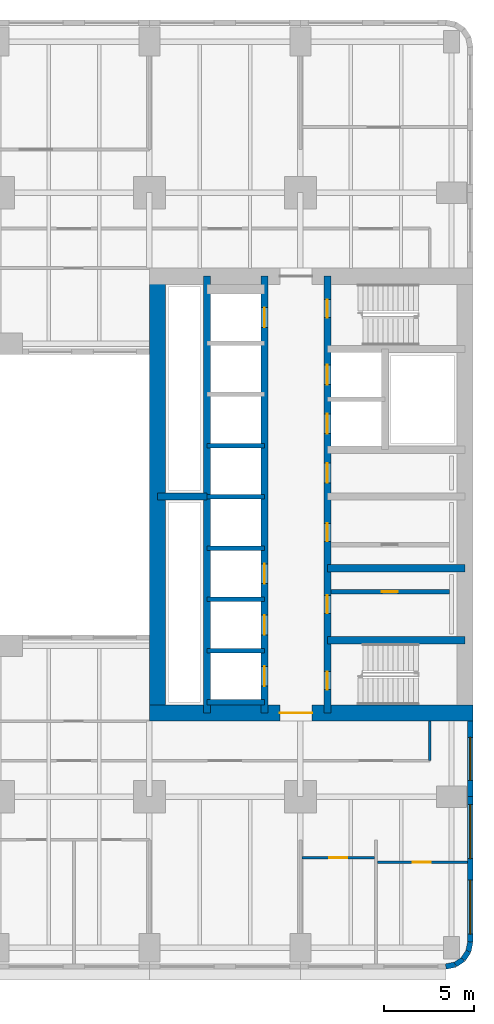
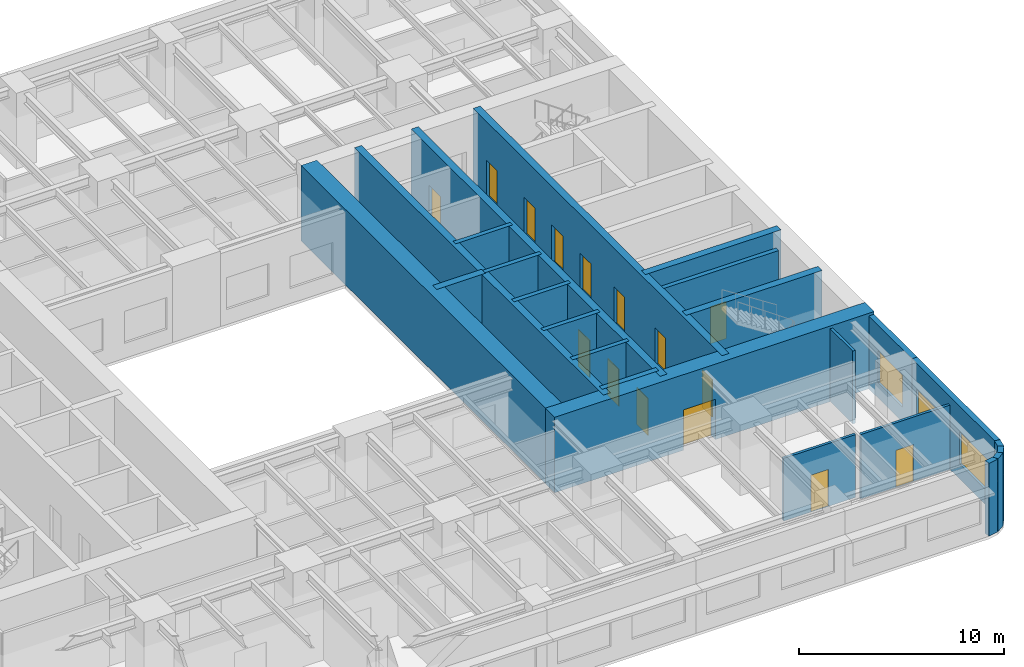
# One storey, part 5 of 14: 24 walls, 15 doors, 3 windows, 18 openings.
"""IFC4 building model written with IfcOpenShell, lengths in metres."""

from ifc_helpers import new_model, si_unit, direction, frame, frame_2d, origin, place, context, subcontext, project, spatial, rectangle, extrude, material, layer, layer_set, type_object, element, fill, save


model = new_model("IFC4")

# Units and contexts
model_context = context("Model", 3, precision=1e-05, world=origin(), true_north=direction((0.0, 1.0)))
body_context = subcontext(model_context, "Body", "Model", "MODEL_VIEW")
ifc_project = project(units=[si_unit("LENGTHUNIT", "METRE"), si_unit("AREAUNIT", "SQUARE_METRE"), si_unit("VOLUMEUNIT", "CUBIC_METRE"), si_unit("PLANEANGLEUNIT", "RADIAN"), si_unit("MASSUNIT", "GRAM", prefix="KILO")], contexts=[model_context])

# Site, building, storey
site_placement = place(None, origin())
site = spatial("IfcSite", under=ifc_project, at=site_placement, CompositionType="ELEMENT")
building_placement = place(site_placement, origin())
building = spatial("IfcBuilding", under=site, at=building_placement, Name="Claustro Exchange Tower", CompositionType="ELEMENT")
storey_placement = place(building_placement, frame((0.0, 0.0, 54.89990234375)))
storey = spatial("IfcBuildingStorey", under=building, at=storey_placement, Name="L12", CompositionType="ELEMENT", Elevation=54.89990234375)

# Wall, opening, door
ifc_material_1 = material(Name="Gypsum board on steel studs", Category="steel")
ifc_layer_1 = layer(ifc_material_1, 0.14990234375)
ifc_layer_set_1 = layer_set([ifc_layer_1], Name="Gypsum board on steel studs")
wall_type_1 = type_object("IfcWallType", Name="P1 150 plasterboard partition", PredefinedType="PARTITIONING", material=ifc_layer_set_1)
wall_1_placement = place(storey_placement, frame((42.073974609375, 5.0, 0.0), z_axis=(0.0, 0.0, 1.0), x_axis=(1.0, 0.0, 0.0)))
wall_1 = element("IfcWall", 1, at=wall_1_placement, inside=storey, type_object=wall_type_1, Name="Partition P1 L12", PredefinedType="PARTITIONING", context=body_context, shape_type="SweptSolid", body=[
    extrude(rectangle(XDim=4.052001953125, YDim=0.14990234375, at=frame_2d((2.02587890625, 0.0))), origin(), (0.0, 0.0, 1.0), 3.739990234375),
])
opening_1_placement = place(wall_1_placement, frame((1.52587890625, 0.0, 0.0)))
opening_1 = element("IfcOpeningElement", 2, at=opening_1_placement, cuts=wall_1, Name="Opening D1", PredefinedType="OPENING", context=body_context, shape_type="SweptSolid", body=[
    extrude(rectangle(XDim=1.0, YDim=2.199951171875, at=frame_2d((0.5, 1.10009765625))), frame((0.0, 0.0849609375, 0.0), z_axis=(0.0, -1.0, 0.0), x_axis=(1.0, 0.0, 0.0)), (0.0, 0.0, 1.0), 0.169921875),
])
ifc_material_2 = material(Name="Timber door, oak veneer", Category="wood")
door_type_1 = type_object("IfcDoorType", Name="D1 1000 x 2200 single door", OperationType="SINGLE_SWING_LEFT", PredefinedType="DOOR", material=ifc_material_2)
door_1_placement = place(opening_1_placement, frame((1.0, 0.0, 0.0), z_axis=(0.0, 0.0, 1.0), x_axis=(-1.0, 0.0, 0.0)))
door_1 = element("IfcDoor", 3, at=door_1_placement, inside=storey, type_object=door_type_1, Name="Door D1 L12", OperationType="SINGLE_SWING_RIGHT", OverallHeight=2.199951171875, OverallWidth=1.0, PredefinedType="DOOR", context=body_context, shape_type="SweptSolid", body=[
    extrude(rectangle(XDim=1.0, YDim=2.199951171875, at=frame_2d((0.5, 1.10009765625))), frame((0.0, 0.02490234375, 0.0), z_axis=(0.0, -1.0, 0.0), x_axis=(1.0, 0.0, 0.0)), (0.0, 0.0, 1.0), 0.050048828125),
])
fill(opening_1, door_1)

wall_2_placement = place(storey_placement, frame((46.27392578125, 4.75, 0.0), z_axis=(0.0, 0.0, 1.0), x_axis=(1.0, 0.0, 0.0)))
wall_2 = element("IfcWall", 4, at=wall_2_placement, inside=storey, type_object=wall_type_1, Name="Partition P1 L12", PredefinedType="PARTITIONING", context=body_context, shape_type="SweptSolid", body=[
    extrude(rectangle(XDim=5.028076171875, YDim=0.14990234375, at=frame_2d((2.51416015625, 0.0))), origin(), (0.0, 0.0, 1.0), 3.840087890625),
])
opening_2_placement = place(wall_2_placement, frame((1.97607421875, 0.0, 0.0)))
opening_2 = element("IfcOpeningElement", 5, at=opening_2_placement, cuts=wall_2, Name="Opening D1", PredefinedType="OPENING", context=body_context, shape_type="SweptSolid", body=[
    extrude(rectangle(XDim=1.0, YDim=2.199951171875, at=frame_2d((0.5, 1.10009765625))), frame((0.0, 0.0849609375, 0.0), z_axis=(0.0, -1.0, 0.0), x_axis=(1.0, 0.0, 0.0)), (0.0, 0.0, 1.0), 0.169921875),
])
door_2_placement = place(opening_2_placement, frame((1.0, 0.0, 0.0), z_axis=(0.0, 0.0, 1.0), x_axis=(-1.0, 0.0, 0.0)))
door_2 = element("IfcDoor", 6, at=door_2_placement, inside=storey, type_object=door_type_1, Name="Door D1 L12", OperationType="SINGLE_SWING_RIGHT", OverallHeight=2.199951171875, OverallWidth=1.0, PredefinedType="DOOR", context=body_context, shape_type="SweptSolid", body=[
    extrude(rectangle(XDim=1.0, YDim=2.199951171875, at=frame_2d((0.5, 1.10009765625))), frame((0.0, 0.02490234375, 0.0), z_axis=(0.0, -1.0, 0.0), x_axis=(1.0, 0.0, 0.0)), (0.0, 0.0, 1.0), 0.050048828125),
])
fill(opening_2, door_2)

# Wall
wall_3_placement = place(storey_placement, frame((49.199951171875, 10.39990234375, 0.0), z_axis=(0.0, 0.0, 1.0), x_axis=(0.0, 1.0, 0.0)))
element("IfcWall", 7, at=wall_3_placement, inside=storey, type_object=wall_type_1, Name="Partition P1 L12", PredefinedType="PARTITIONING", context=body_context, shape_type="SweptSolid", body=[
    extrude(rectangle(XDim=2.2021484375, YDim=0.14990234375, at=frame_2d((1.10107421875, 0.0))), origin(), (0.0, 0.0, 1.0), 4.340087890625),
])

# Wall, opening, door
ifc_material_3 = material(Name="Concrete blockwork, rendered", Category="masonry")
ifc_layer_2 = layer(ifc_material_3, 0.25)
ifc_layer_set_2 = layer_set([ifc_layer_2], Name="Concrete blockwork, rendered")
wall_type_2 = type_object("IfcWallType", Name="P4 250 blockwork wall", PredefinedType="PARTITIONING", material=ifc_layer_set_2)
wall_4_placement = place(storey_placement, frame((43.699951171875, 19.800048828125, 0.0), z_axis=(0.0, 0.0, 1.0), x_axis=(1.0, 0.0, 0.0)))
wall_4 = element("IfcWall", 8, at=wall_4_placement, inside=storey, type_object=wall_type_2, Name="Partition P4 L12", PredefinedType="PARTITIONING", context=body_context, shape_type="SweptSolid", body=[
    extrude(rectangle(XDim=6.60009765625, YDim=0.25, at=frame_2d((3.300048828125, 0.0))), origin(), (0.0, 0.0, 1.0), 4.300048828125),
])
opening_3_placement = place(wall_4_placement, frame((2.824951171875, 0.0, 0.0)))
opening_3 = element("IfcOpeningElement", 9, at=opening_3_placement, cuts=wall_4, Name="Opening D5", PredefinedType="OPENING", context=body_context, shape_type="SweptSolid", body=[
    extrude(rectangle(XDim=0.89990234375, YDim=2.199951171875, at=frame_2d((0.449951171875, 1.10009765625))), frame((0.0, 0.135009765625, 0.0), z_axis=(0.0, -1.0, 0.0), x_axis=(1.0, 0.0, 0.0)), (0.0, 0.0, 1.0), 0.27001953125),
])
ifc_material_4 = material(Name="Steel door, painted", Category="steel")
door_type_2 = type_object("IfcDoorType", Name="D5 900 x 2200 store door", OperationType="SINGLE_SWING_LEFT", PredefinedType="DOOR", material=ifc_material_4)
door_3_placement = place(opening_3_placement, origin())
door_3 = element("IfcDoor", 10, at=door_3_placement, inside=storey, type_object=door_type_2, Name="Store door D5 L12", OperationType="SINGLE_SWING_RIGHT", OverallHeight=2.199951171875, OverallWidth=0.89990234375, PredefinedType="DOOR", context=body_context, shape_type="SweptSolid", body=[
    extrude(rectangle(XDim=0.89990234375, YDim=2.199951171875, at=frame_2d((0.449951171875, 1.10009765625))), frame((0.0, 0.02490234375, 0.0), z_axis=(0.0, -1.0, 0.0), x_axis=(1.0, 0.0, 0.0)), (0.0, 0.0, 1.0), 0.050048828125),
])
fill(opening_3, door_3)

# Wall, opening, window
ifc_material_5 = material(Name="Concrete HA-40 (C40/50), precast, white cement, acid-etched", Category="concrete")
ifc_layer_3 = layer(ifc_material_5, 0.300048828125)
ifc_layer_set_3 = layer_set([ifc_layer_3], Name="Concrete HA-40 (C40/50), precast, white cement, acid-etched")
wall_type_3 = type_object("IfcWallType", Name="PC1 300 precast concrete pier panel", PredefinedType="SOLIDWALL", material=ifc_layer_set_3)
wall_5_placement = place(storey_placement, frame((51.449951171875, 12.60009765625, 0.0), z_axis=(0.0, 0.0, 1.0), x_axis=(0.0, -1.0, 0.0)))
wall_5 = element("IfcWall", 11, at=wall_5_placement, inside=storey, type_object=wall_type_3, Name="Precast pier panel PC1 L12", PredefinedType="SOLIDWALL", context=body_context, shape_type="SweptSolid", body=[
    extrude(rectangle(XDim=4.2001953125, YDim=0.300048828125, at=frame_2d((2.10009765625, 0.0))), origin(), (0.0, 0.0, 1.0), 4.340087890625),
])
opening_4_placement = place(wall_5_placement, frame((0.89990234375, 0.0, 0.89990234375)))
opening_4 = element("IfcOpeningElement", 12, at=opening_4_placement, cuts=wall_5, Name="Opening W2", PredefinedType="OPENING", context=body_context, shape_type="SweptSolid", body=[
    extrude(rectangle(XDim=2.39990234375, YDim=1.89990234375, at=frame_2d((1.199951171875, 0.949951171875))), frame((0.0, 0.159912109375, 0.0), z_axis=(0.0, -1.0, 0.0), x_axis=(1.0, 0.0, 0.0)), (0.0, 0.0, 1.0), 0.320068359375),
])
ifc_material_6 = material(Name="Aluminium frame, clear double glazing", Category="aluminium")
window_type_1 = type_object("IfcWindowType", Name="W2 2400 x 1900 window", PartitioningType="SINGLE_PANEL", PredefinedType="WINDOW", material=ifc_material_6)
window_1_placement = place(opening_4_placement, origin())
window_1 = element("IfcWindow", 13, at=window_1_placement, inside=storey, type_object=window_type_1, Name="Window W2 L12", OverallHeight=1.89990234375, OverallWidth=2.39990234375, PartitioningType="SINGLE_PANEL", PredefinedType="WINDOW", context=body_context, shape_type="SweptSolid", body=[
    extrude(rectangle(XDim=2.39990234375, YDim=1.89990234375, at=frame_2d((1.199951171875, 0.949951171875))), frame((0.0, 0.030029296875, 0.0), z_axis=(0.0, -1.0, 0.0), x_axis=(1.0, 0.0, 0.0)), (0.0, 0.0, 1.0), 0.06005859375),
])
fill(opening_4, window_1)

# Wall, openings, windows
wall_6_placement = place(storey_placement, frame((51.449951171875, 8.39990234375, 0.0), z_axis=(0.0, 0.0, 1.0), x_axis=(0.0, -1.0, 0.0)))
wall_6 = element("IfcWall", 14, at=wall_6_placement, inside=storey, type_object=wall_type_3, Name="Precast pier panel PC1 L12", PredefinedType="SOLIDWALL", context=body_context, shape_type="SweptSolid", body=[
    extrude(rectangle(XDim=8.085205078125, YDim=0.300048828125, at=frame_2d((4.04248046875, 0.0))), origin(), (0.0, 0.0, 1.0), 4.340087890625),
])
opening_5_placement = place(wall_6_placement, frame((0.442626953125, 0.0, 0.89990234375)))
opening_5 = element("IfcOpeningElement", 15, at=opening_5_placement, cuts=wall_6, Name="Opening W1", PredefinedType="OPENING", context=body_context, shape_type="SweptSolid", body=[
    extrude(rectangle(XDim=3.0, YDim=1.89990234375, at=frame_2d((1.5, 0.949951171875))), frame((0.0, 0.159912109375, 0.0), z_axis=(0.0, -1.0, 0.0), x_axis=(1.0, 0.0, 0.0)), (0.0, 0.0, 1.0), 0.320068359375),
])
opening_6_placement = place(wall_6_placement, frame((4.642578125, 0.0, 0.89990234375)))
opening_6 = element("IfcOpeningElement", 16, at=opening_6_placement, cuts=wall_6, Name="Opening W1", PredefinedType="OPENING", context=body_context, shape_type="SweptSolid", body=[
    extrude(rectangle(XDim=3.0, YDim=1.89990234375, at=frame_2d((1.5, 0.949951171875))), frame((0.0, 0.159912109375, 0.0), z_axis=(0.0, -1.0, 0.0), x_axis=(1.0, 0.0, 0.0)), (0.0, 0.0, 1.0), 0.320068359375),
])
ifc_material_7 = material(Name="Aluminium frame, clear double glazing", Category="aluminium")
window_type_2 = type_object("IfcWindowType", Name="W1 3000 x 1900 window", PartitioningType="SINGLE_PANEL", PredefinedType="WINDOW", material=ifc_material_7)
window_2_placement = place(opening_5_placement, origin())
window_2 = element("IfcWindow", 17, at=window_2_placement, inside=storey, type_object=window_type_2, Name="Window W1 L12", OverallHeight=1.89990234375, OverallWidth=3.0, PartitioningType="SINGLE_PANEL", PredefinedType="WINDOW", context=body_context, shape_type="SweptSolid", body=[
    extrude(rectangle(XDim=3.0, YDim=1.89990234375, at=frame_2d((1.5, 0.949951171875))), frame((0.0, 0.030029296875, 0.0), z_axis=(0.0, -1.0, 0.0), x_axis=(1.0, 0.0, 0.0)), (0.0, 0.0, 1.0), 0.06005859375),
])
fill(opening_5, window_2)
window_3_placement = place(opening_6_placement, origin())
window_3 = element("IfcWindow", 18, at=window_3_placement, inside=storey, type_object=window_type_2, Name="Window W1 L12", OverallHeight=1.89990234375, OverallWidth=3.0, PartitioningType="SINGLE_PANEL", PredefinedType="WINDOW", context=body_context, shape_type="SweptSolid", body=[
    extrude(rectangle(XDim=3.0, YDim=1.89990234375, at=frame_2d((1.5, 0.949951171875))), frame((0.0, 0.030029296875, 0.0), z_axis=(0.0, -1.0, 0.0), x_axis=(1.0, 0.0, 0.0)), (0.0, 0.0, 1.0), 0.06005859375),
])
fill(opening_6, window_3)

# Walls
wall_7_placement = place(storey_placement, frame((51.449951171875, 0.314697265625, 0.0), z_axis=(0.0, 0.0, 1.0), x_axis=(-0.195073962632, -0.980788534345, 0.0)))
element("IfcWall", 19, at=wall_7_placement, inside=storey, type_object=wall_type_3, Name="Precast pier panel PC1 L12", PredefinedType="SOLIDWALL", context=body_context, shape_type="SweptSolid", body=[
    extrude(rectangle(XDim=0.540771484375, YDim=0.300048828125, at=frame_2d((0.2705078125, 0.0))), origin(), (0.0, 0.0, 1.0), 4.340087890625),
])
for number, where, z_axis, x_axis, name in (
    (20, (51.344482421875, -0.215576171875, 0.0), (0.0, 0.0, 1.0), (-0.555557463938, -0.831478144188, 0.0), "Precast pier panel PC1 L12"),
    (21, (51.052490234375, -0.652587890625, 0.0), (0.0, 0.0, 1.0), (-0.831478144188, -0.555557463938, 0.0), "Precast pier panel PC1 L12"),
):
    element("IfcWall", number, at=place(storey_placement, frame(where, z_axis=z_axis, x_axis=x_axis)), inside=storey, type_object=wall_type_3, Name=name, PredefinedType="SOLIDWALL", context=body_context, shape_type="SweptSolid", body=[
        extrude(rectangle(XDim=0.525634765625, YDim=0.300048828125, at=frame_2d((0.2626953125, 0.0))), origin(), (0.0, 0.0, 1.0), 4.340087890625),
    ])
wall_8_placement = place(storey_placement, frame((50.615478515625, -0.944580078125, 0.0), z_axis=(0.0, 0.0, 1.0), x_axis=(-0.980788534345, -0.195073962632, 0.0)))
element("IfcWall", 22, at=wall_8_placement, inside=storey, type_object=wall_type_3, Name="Precast pier panel PC1 L12", PredefinedType="SOLIDWALL", context=body_context, shape_type="SweptSolid", body=[
    extrude(rectangle(XDim=0.540771484375, YDim=0.300048828125, at=frame_2d((0.2705078125, 0.0))), origin(), (0.0, 0.0, 1.0), 4.340087890625),
])

# Wall, opening, door
ifc_material_8 = material(Name="Concrete HA-70 (C70/85)", Category="concrete")
ifc_layer_4 = layer(ifc_material_8, 0.89990234375)
ifc_layer_set_4 = layer_set([ifc_layer_4], Name="Concrete HA-70 (C70/85)")
wall_type_4 = type_object("IfcWallType", Name="SW1 900 core shear wall", PredefinedType="SHEAR", material=ifc_layer_set_4)
wall_9_placement = place(storey_placement, frame((33.60009765625, 13.050048828125, 0.0), z_axis=(0.0, 0.0, 1.0), x_axis=(1.0, 0.0, 0.0)))
wall_9 = element("IfcWall", 23, at=wall_9_placement, inside=storey, type_object=wall_type_4, Name="Core wall SW1 E core S face L12", PredefinedType="SHEAR", context=body_context, shape_type="SweptSolid", body=[
    extrude(rectangle(XDim=18.0, YDim=0.89990234375, at=frame_2d((9.0, 0.0))), origin(), (0.0, 0.0, 1.0), 4.5),
])
opening_7_placement = place(wall_9_placement, frame((7.25, 0.0, 0.0)))
opening_7 = element("IfcOpeningElement", 24, at=opening_7_placement, cuts=wall_9, Name="Opening D3", PredefinedType="OPENING", context=body_context, shape_type="SweptSolid", body=[
    extrude(rectangle(XDim=1.800048828125, YDim=2.39990234375, at=frame_2d((0.89990234375, 1.199951171875))), frame((0.0, 0.4599609375, 0.0), z_axis=(0.0, -1.0, 0.0), x_axis=(1.0, 0.0, 0.0)), (0.0, 0.0, 1.0), 0.919921875),
])
ifc_material_9 = material(Name="Steel fire door, painted", Category="steel")
door_type_3 = type_object("IfcDoorType", Name="D3 1800 x 2400 fire-rated lobby double door", OperationType="DOUBLE_DOOR_SINGLE_SWING", PredefinedType="DOOR", material=ifc_material_9)
door_4_placement = place(opening_7_placement, origin())
door_4 = element("IfcDoor", 25, at=door_4_placement, inside=storey, type_object=door_type_3, Name="Lift lobby door D3 L12", OperationType="DOUBLE_DOOR_SINGLE_SWING", OverallHeight=2.39990234375, OverallWidth=1.800048828125, PredefinedType="DOOR", context=body_context, shape_type="SweptSolid", body=[
    extrude(rectangle(XDim=1.800048828125, YDim=2.39990234375, at=frame_2d((0.89990234375, 1.199951171875))), frame((0.0, 0.02490234375, 0.0), z_axis=(0.0, -1.0, 0.0), x_axis=(1.0, 0.0, 0.0)), (0.0, 0.0, 1.0), 0.050048828125),
])
fill(opening_7, door_4)

# Wall
ifc_material_10 = material(Name="Concrete HA-70 (C70/85)", Category="concrete")
ifc_layer_5 = layer(ifc_material_10, 0.89990234375)
ifc_layer_set_5 = layer_set([ifc_layer_5], Name="Concrete HA-70 (C70/85)")
wall_type_5 = type_object("IfcWallType", Name="SW1X 900 exposed core shear wall, board-marked face", PredefinedType="SHEAR", material=ifc_layer_set_5)
wall_10_placement = place(storey_placement, frame((34.050048828125, 13.050048828125, 0.0), z_axis=(0.0, 0.0, 1.0), x_axis=(0.0, 1.0, 0.0)))
element("IfcWall", 26, at=wall_10_placement, inside=storey, type_object=wall_type_5, Name="Core wall SW1X E core W face L12", PredefinedType="SHEAR", context=body_context, shape_type="SweptSolid", body=[
    extrude(rectangle(XDim=24.300048828125, YDim=0.89990234375, at=frame_2d((12.14990234375, 0.0))), origin(), (0.0, 0.0, 1.0), 4.5),
])

# Wall, openings, doors
ifc_material_11 = material(Name="Concrete HA-50 (C50/60)", Category="concrete")
ifc_layer_6 = layer(ifc_material_11, 0.39990234375)
ifc_layer_set_6 = layer_set([ifc_layer_6], Name="Concrete HA-50 (C50/60)")
wall_type_6 = type_object("IfcWallType", Name="SW4 400 internal core wall", PredefinedType="SHEAR", material=ifc_layer_set_6)
wall_11_placement = place(storey_placement, frame((43.5, 13.050048828125, 0.0), z_axis=(0.0, 0.0, 1.0), x_axis=(0.0, 1.0, 0.0)))
wall_11 = element("IfcWall", 27, at=wall_11_placement, inside=storey, type_object=wall_type_6, Name="Internal core wall SW4 E core L12", PredefinedType="SHEAR", context=body_context, shape_type="SweptSolid", body=[
    extrude(rectangle(XDim=24.300048828125, YDim=0.39990234375, at=frame_2d((12.14990234375, 0.0))), origin(), (0.0, 0.0, 1.0), 4.5),
])
opening_8_placement = place(wall_11_placement, frame((1.300048828125, 0.0, 0.0)))
opening_8 = element("IfcOpeningElement", 28, at=opening_8_placement, cuts=wall_11, Name="Opening D4", PredefinedType="OPENING", context=body_context, shape_type="SweptSolid", body=[
    extrude(rectangle(XDim=1.0, YDim=2.199951171875, at=frame_2d((0.5, 1.10009765625))), frame((0.0, 0.2099609375, 0.0), z_axis=(0.0, -1.0, 0.0), x_axis=(1.0, 0.0, 0.0)), (0.0, 0.0, 1.0), 0.419921875),
])
opening_9_placement = place(wall_11_placement, frame((22.0, 0.0, 0.0)))
opening_9 = element("IfcOpeningElement", 29, at=opening_9_placement, cuts=wall_11, Name="Opening D4", PredefinedType="OPENING", context=body_context, shape_type="SweptSolid", body=[
    extrude(rectangle(XDim=1.0, YDim=2.199951171875, at=frame_2d((0.5, 1.10009765625))), frame((0.0, 0.2099609375, 0.0), z_axis=(0.0, -1.0, 0.0), x_axis=(1.0, 0.0, 0.0)), (0.0, 0.0, 1.0), 0.419921875),
])
opening_10_placement = place(wall_11_placement, frame((5.550048828125, 0.0, 0.0)))
opening_10 = element("IfcOpeningElement", 30, at=opening_10_placement, cuts=wall_11, Name="Opening D1", PredefinedType="OPENING", context=body_context, shape_type="SweptSolid", body=[
    extrude(rectangle(XDim=1.0, YDim=2.199951171875, at=frame_2d((0.5, 1.10009765625))), frame((0.0, 0.2099609375, 0.0), z_axis=(0.0, -1.0, 0.0), x_axis=(1.0, 0.0, 0.0)), (0.0, 0.0, 1.0), 0.419921875),
])
opening_11_placement = place(wall_11_placement, frame((9.550048828125, 0.0, 0.0)))
opening_11 = element("IfcOpeningElement", 31, at=opening_11_placement, cuts=wall_11, Name="Opening D1", PredefinedType="OPENING", context=body_context, shape_type="SweptSolid", body=[
    extrude(rectangle(XDim=1.0, YDim=2.199951171875, at=frame_2d((0.5, 1.10009765625))), frame((0.0, 0.2099609375, 0.0), z_axis=(0.0, -1.0, 0.0), x_axis=(1.0, 0.0, 0.0)), (0.0, 0.0, 1.0), 0.419921875),
])
opening_12_placement = place(wall_11_placement, frame((12.800048828125, 0.0, 0.0)))
opening_12 = element("IfcOpeningElement", 32, at=opening_12_placement, cuts=wall_11, Name="Opening D10", PredefinedType="OPENING", context=body_context, shape_type="SweptSolid", body=[
    extrude(rectangle(XDim=1.10009765625, YDim=2.199951171875, at=frame_2d((0.550048828125, 1.10009765625))), frame((0.0, 0.2099609375, 0.0), z_axis=(0.0, -1.0, 0.0), x_axis=(1.0, 0.0, 0.0)), (0.0, 0.0, 1.0), 0.419921875),
])
opening_13_placement = place(wall_11_placement, frame((15.53759765625, 0.0, 0.0)))
opening_13 = element("IfcOpeningElement", 33, at=opening_13_placement, cuts=wall_11, Name="Opening LD", PredefinedType="OPENING", context=body_context, shape_type="SweptSolid", body=[
    extrude(rectangle(XDim=1.10009765625, YDim=2.199951171875, at=frame_2d((0.550048828125, 1.10009765625))), frame((0.0, 0.2099609375, 0.0), z_axis=(0.0, -1.0, 0.0), x_axis=(1.0, 0.0, 0.0)), (0.0, 0.0, 1.0), 0.419921875),
])
opening_14_placement = place(wall_11_placement, frame((18.262451171875, 0.0, 0.0)))
opening_14 = element("IfcOpeningElement", 34, at=opening_14_placement, cuts=wall_11, Name="Opening LD", PredefinedType="OPENING", context=body_context, shape_type="SweptSolid", body=[
    extrude(rectangle(XDim=1.10009765625, YDim=2.199951171875, at=frame_2d((0.550048828125, 1.10009765625))), frame((0.0, 0.2099609375, 0.0), z_axis=(0.0, -1.0, 0.0), x_axis=(1.0, 0.0, 0.0)), (0.0, 0.0, 1.0), 0.419921875),
])
door_5_placement = place(opening_10_placement, frame((1.0, 0.0, 0.0), z_axis=(0.0, 0.0, 1.0), x_axis=(-1.0, 0.0, 0.0)))
door_5 = element("IfcDoor", 35, at=door_5_placement, inside=storey, type_object=door_type_1, Name="Door D1 L12", OperationType="SINGLE_SWING_LEFT", OverallHeight=2.199951171875, OverallWidth=1.0, PredefinedType="DOOR", context=body_context, shape_type="SweptSolid", body=[
    extrude(rectangle(XDim=1.0, YDim=2.199951171875, at=frame_2d((0.5, 1.10009765625))), frame((0.0, 0.02490234375, 0.0), z_axis=(0.0, -1.0, 0.0), x_axis=(1.0, 0.0, 0.0)), (0.0, 0.0, 1.0), 0.050048828125),
])
fill(opening_10, door_5)
door_6_placement = place(opening_11_placement, frame((1.0, 0.0, 0.0), z_axis=(0.0, 0.0, 1.0), x_axis=(-1.0, 0.0, 0.0)))
door_6 = element("IfcDoor", 36, at=door_6_placement, inside=storey, type_object=door_type_1, Name="Door D1 L12", OperationType="SINGLE_SWING_RIGHT", OverallHeight=2.199951171875, OverallWidth=1.0, PredefinedType="DOOR", context=body_context, shape_type="SweptSolid", body=[
    extrude(rectangle(XDim=1.0, YDim=2.199951171875, at=frame_2d((0.5, 1.10009765625))), frame((0.0, 0.02490234375, 0.0), z_axis=(0.0, -1.0, 0.0), x_axis=(1.0, 0.0, 0.0)), (0.0, 0.0, 1.0), 0.050048828125),
])
fill(opening_11, door_6)
ifc_material_12 = material(Name="Timber door, oak veneer", Category="wood")
door_type_4 = type_object("IfcDoorType", Name="D10 1100 x 2200 accessible WC door", OperationType="SINGLE_SWING_LEFT", PredefinedType="DOOR", material=ifc_material_12)
door_7_placement = place(opening_12_placement, origin())
door_7 = element("IfcDoor", 37, at=door_7_placement, inside=storey, type_object=door_type_4, Name="Accessible WC door D10 L12", OperationType="SINGLE_SWING_RIGHT", OverallHeight=2.199951171875, OverallWidth=1.10009765625, PredefinedType="DOOR", context=body_context, shape_type="SweptSolid", body=[
    extrude(rectangle(XDim=1.10009765625, YDim=2.199951171875, at=frame_2d((0.550048828125, 1.10009765625))), frame((0.0, 0.02490234375, 0.0), z_axis=(0.0, -1.0, 0.0), x_axis=(1.0, 0.0, 0.0)), (0.0, 0.0, 1.0), 0.050048828125),
])
fill(opening_12, door_7)
ifc_material_13 = material(Name="Steel fire door, painted", Category="steel")
door_type_5 = type_object("IfcDoorType", Name="D4 1000 x 2200 fire-rated stair door", OperationType="SINGLE_SWING_LEFT", PredefinedType="DOOR", material=ifc_material_13)
door_8_placement = place(opening_8_placement, frame((1.0, 0.0, 0.0), z_axis=(0.0, 0.0, 1.0), x_axis=(-1.0, 0.0, 0.0)))
door_8 = element("IfcDoor", 38, at=door_8_placement, inside=storey, type_object=door_type_5, Name="Stair door D4 L12", OperationType="SINGLE_SWING_RIGHT", OverallHeight=2.199951171875, OverallWidth=1.0, PredefinedType="DOOR", context=body_context, shape_type="SweptSolid", body=[
    extrude(rectangle(XDim=1.0, YDim=2.199951171875, at=frame_2d((0.5, 1.10009765625))), frame((0.0, 0.02490234375, 0.0), z_axis=(0.0, -1.0, 0.0), x_axis=(1.0, 0.0, 0.0)), (0.0, 0.0, 1.0), 0.050048828125),
])
fill(opening_8, door_8)
door_9_placement = place(opening_9_placement, frame((1.0, 0.0, 0.0), z_axis=(0.0, 0.0, 1.0), x_axis=(-1.0, 0.0, 0.0)))
door_9 = element("IfcDoor", 39, at=door_9_placement, inside=storey, type_object=door_type_5, Name="Stair door D4 L12", OperationType="SINGLE_SWING_LEFT", OverallHeight=2.199951171875, OverallWidth=1.0, PredefinedType="DOOR", context=body_context, shape_type="SweptSolid", body=[
    extrude(rectangle(XDim=1.0, YDim=2.199951171875, at=frame_2d((0.5, 1.10009765625))), frame((0.0, 0.02490234375, 0.0), z_axis=(0.0, -1.0, 0.0), x_axis=(1.0, 0.0, 0.0)), (0.0, 0.0, 1.0), 0.050048828125),
])
fill(opening_9, door_9)
ifc_material_14 = material(Name="Stainless steel sliding door", Category="steel")
door_type_6 = type_object("IfcDoorType", Name="LD 1100 x 2200 lift landing door", OperationType="DOUBLE_DOOR_SLIDING", PredefinedType="DOOR", material=ifc_material_14)
door_10_placement = place(opening_13_placement, origin())
door_10 = element("IfcDoor", 40, at=door_10_placement, inside=storey, type_object=door_type_6, Name="Lift landing door LEE1 LD L12", OperationType="DOUBLE_DOOR_SLIDING", OverallHeight=2.199951171875, OverallWidth=1.10009765625, PredefinedType="DOOR", context=body_context, shape_type="SweptSolid", body=[
    extrude(rectangle(XDim=1.10009765625, YDim=2.199951171875, at=frame_2d((0.550048828125, 1.10009765625))), frame((0.0, 0.02490234375, 0.0), z_axis=(0.0, -1.0, 0.0), x_axis=(1.0, 0.0, 0.0)), (0.0, 0.0, 1.0), 0.050048828125),
])
fill(opening_13, door_10)
door_11_placement = place(opening_14_placement, origin())
door_11 = element("IfcDoor", 41, at=door_11_placement, inside=storey, type_object=door_type_6, Name="Lift landing door LEE2 LD L12", OperationType="DOUBLE_DOOR_SLIDING", OverallHeight=2.199951171875, OverallWidth=1.10009765625, PredefinedType="DOOR", context=body_context, shape_type="SweptSolid", body=[
    extrude(rectangle(XDim=1.10009765625, YDim=2.199951171875, at=frame_2d((0.550048828125, 1.10009765625))), frame((0.0, 0.02490234375, 0.0), z_axis=(0.0, -1.0, 0.0), x_axis=(1.0, 0.0, 0.0)), (0.0, 0.0, 1.0), 0.050048828125),
])
fill(opening_14, door_11)

wall_12_placement = place(storey_placement, frame((40.0, 13.050048828125, 0.0), z_axis=(0.0, 0.0, 1.0), x_axis=(0.0, 1.0, 0.0)))
wall_12 = element("IfcWall", 42, at=wall_12_placement, inside=storey, type_object=wall_type_6, Name="Internal core wall SW4 E core L12", PredefinedType="SHEAR", context=body_context, shape_type="SweptSolid", body=[
    extrude(rectangle(XDim=24.300048828125, YDim=0.39990234375, at=frame_2d((12.14990234375, 0.0))), origin(), (0.0, 0.0, 1.0), 4.5),
])
opening_15_placement = place(wall_12_placement, frame((1.5, 0.0, 0.0)))
opening_15 = element("IfcOpeningElement", 43, at=opening_15_placement, cuts=wall_12, Name="Opening LD", PredefinedType="OPENING", context=body_context, shape_type="SweptSolid", body=[
    extrude(rectangle(XDim=1.10009765625, YDim=2.199951171875, at=frame_2d((0.550048828125, 1.10009765625))), frame((0.0, 0.2099609375, 0.0), z_axis=(0.0, -1.0, 0.0), x_axis=(1.0, 0.0, 0.0)), (0.0, 0.0, 1.0), 0.419921875),
])
opening_16_placement = place(wall_12_placement, frame((4.35009765625, 0.0, 0.0)))
opening_16 = element("IfcOpeningElement", 44, at=opening_16_placement, cuts=wall_12, Name="Opening LD", PredefinedType="OPENING", context=body_context, shape_type="SweptSolid", body=[
    extrude(rectangle(XDim=1.10009765625, YDim=2.199951171875, at=frame_2d((0.550048828125, 1.10009765625))), frame((0.0, 0.2099609375, 0.0), z_axis=(0.0, -1.0, 0.0), x_axis=(1.0, 0.0, 0.0)), (0.0, 0.0, 1.0), 0.419921875),
])
opening_17_placement = place(wall_12_placement, frame((7.199951171875, 0.0, 0.0)))
opening_17 = element("IfcOpeningElement", 45, at=opening_17_placement, cuts=wall_12, Name="Opening LD", PredefinedType="OPENING", context=body_context, shape_type="SweptSolid", body=[
    extrude(rectangle(XDim=1.10009765625, YDim=2.199951171875, at=frame_2d((0.550048828125, 1.10009765625))), frame((0.0, 0.2099609375, 0.0), z_axis=(0.0, -1.0, 0.0), x_axis=(1.0, 0.0, 0.0)), (0.0, 0.0, 1.0), 0.419921875),
])
opening_18_placement = place(wall_12_placement, frame((21.449951171875, 0.0, 0.0)))
opening_18 = element("IfcOpeningElement", 46, at=opening_18_placement, cuts=wall_12, Name="Opening LD", PredefinedType="OPENING", context=body_context, shape_type="SweptSolid", body=[
    extrude(rectangle(XDim=1.10009765625, YDim=2.199951171875, at=frame_2d((0.550048828125, 1.10009765625))), frame((0.0, 0.2099609375, 0.0), z_axis=(0.0, -1.0, 0.0), x_axis=(1.0, 0.0, 0.0)), (0.0, 0.0, 1.0), 0.419921875),
])
door_12_placement = place(opening_15_placement, origin())
door_12 = element("IfcDoor", 47, at=door_12_placement, inside=storey, type_object=door_type_6, Name="Lift landing door LLE1 LD L12", OperationType="DOUBLE_DOOR_SLIDING", OverallHeight=2.199951171875, OverallWidth=1.10009765625, PredefinedType="DOOR", context=body_context, shape_type="SweptSolid", body=[
    extrude(rectangle(XDim=1.10009765625, YDim=2.199951171875, at=frame_2d((0.550048828125, 1.10009765625))), frame((0.0, 0.02490234375, 0.0), z_axis=(0.0, -1.0, 0.0), x_axis=(1.0, 0.0, 0.0)), (0.0, 0.0, 1.0), 0.050048828125),
])
fill(opening_15, door_12)
door_13_placement = place(opening_16_placement, origin())
door_13 = element("IfcDoor", 48, at=door_13_placement, inside=storey, type_object=door_type_6, Name="Lift landing door LLE2 LD L12", OperationType="DOUBLE_DOOR_SLIDING", OverallHeight=2.199951171875, OverallWidth=1.10009765625, PredefinedType="DOOR", context=body_context, shape_type="SweptSolid", body=[
    extrude(rectangle(XDim=1.10009765625, YDim=2.199951171875, at=frame_2d((0.550048828125, 1.10009765625))), frame((0.0, 0.02490234375, 0.0), z_axis=(0.0, -1.0, 0.0), x_axis=(1.0, 0.0, 0.0)), (0.0, 0.0, 1.0), 0.050048828125),
])
fill(opening_16, door_13)
door_14_placement = place(opening_17_placement, origin())
door_14 = element("IfcDoor", 49, at=door_14_placement, inside=storey, type_object=door_type_6, Name="Lift landing door LLE3 LD L12", OperationType="DOUBLE_DOOR_SLIDING", OverallHeight=2.199951171875, OverallWidth=1.10009765625, PredefinedType="DOOR", context=body_context, shape_type="SweptSolid", body=[
    extrude(rectangle(XDim=1.10009765625, YDim=2.199951171875, at=frame_2d((0.550048828125, 1.10009765625))), frame((0.0, 0.02490234375, 0.0), z_axis=(0.0, -1.0, 0.0), x_axis=(1.0, 0.0, 0.0)), (0.0, 0.0, 1.0), 0.050048828125),
])
fill(opening_17, door_14)
door_15_placement = place(opening_18_placement, origin())
door_15 = element("IfcDoor", 50, at=door_15_placement, inside=storey, type_object=door_type_6, Name="Lift landing door LSE1 LD L12", OperationType="DOUBLE_DOOR_SLIDING", OverallHeight=2.199951171875, OverallWidth=1.10009765625, PredefinedType="DOOR", context=body_context, shape_type="SweptSolid", body=[
    extrude(rectangle(XDim=1.10009765625, YDim=2.199951171875, at=frame_2d((0.550048828125, 1.10009765625))), frame((0.0, 0.02490234375, 0.0), z_axis=(0.0, -1.0, 0.0), x_axis=(1.0, 0.0, 0.0)), (0.0, 0.0, 1.0), 0.050048828125),
])
fill(opening_18, door_15)

# Walls
wall_13_placement = place(storey_placement, frame((36.800048828125, 13.050048828125, 0.0), z_axis=(0.0, 0.0, 1.0), x_axis=(0.0, 1.0, 0.0)))
element("IfcWall", 51, at=wall_13_placement, inside=storey, type_object=wall_type_6, Name="Internal core wall SW4 E core L12", PredefinedType="SHEAR", context=body_context, shape_type="SweptSolid", body=[
    extrude(rectangle(XDim=24.300048828125, YDim=0.39990234375, at=frame_2d((12.14990234375, 0.0))), origin(), (0.0, 0.0, 1.0), 4.5),
])
for number, where, z_axis, x_axis, name in (
    (52, (51.14990234375, 17.10009765625, 0.0), (0.0, 0.0, 1.0), (-1.0, 0.0, 0.0), "Internal core wall SW4 E core L12"),
    (53, (51.14990234375, 21.10009765625, 0.0), (0.0, 0.0, 1.0), (-1.0, 0.0, 0.0), "Internal core wall SW4 E core L12"),
):
    element("IfcWall", number, at=place(storey_placement, frame(where, z_axis=z_axis, x_axis=x_axis)), inside=storey, type_object=wall_type_6, Name=name, PredefinedType="SHEAR", context=body_context, shape_type="SweptSolid", body=[
        extrude(rectangle(XDim=7.64990234375, YDim=0.39990234375, at=frame_2d((3.824951171875, 0.0))), origin(), (0.0, 0.0, 1.0), 4.5),
    ])
wall_14_placement = place(storey_placement, frame((36.800048828125, 25.10009765625, 0.0), z_axis=(0.0, 0.0, 1.0), x_axis=(-1.0, 0.0, 0.0)))
element("IfcWall", 54, at=wall_14_placement, inside=storey, type_object=wall_type_6, Name="Internal core wall SW4 E core L12", PredefinedType="SHEAR", context=body_context, shape_type="SweptSolid", body=[
    extrude(rectangle(XDim=2.75, YDim=0.39990234375, at=frame_2d((1.375, 0.0))), origin(), (0.0, 0.0, 1.0), 4.5),
])
ifc_material_15 = material(Name="Concrete HA-50 (C50/60)", Category="concrete")
ifc_layer_7 = layer(ifc_material_15, 0.25)
ifc_layer_set_7 = layer_set([ifc_layer_7], Name="Concrete HA-50 (C50/60)")
wall_type_7 = type_object("IfcWallType", Name="SW5 250 lift shaft divider wall", PredefinedType="SHEAR", material=ifc_layer_set_7)
for number, where, z_axis, x_axis, name in (
    (55, (40.0, 16.52490234375, 0.0), (0.0, 0.0, 1.0), (-1.0, 0.0, 0.0), "Lift shaft wall E core L12"),
    (56, (40.0, 19.375, 0.0), (0.0, 0.0, 1.0), (-1.0, 0.0, 0.0), "Lift shaft wall E core L12"),
    (57, (40.0, 22.22509765625, 0.0), (0.0, 0.0, 1.0), (-1.0, 0.0, 0.0), "Lift shaft wall E core L12"),
    (58, (40.0, 25.074951171875, 0.0), (0.0, 0.0, 1.0), (-1.0, 0.0, 0.0), "Lift shaft wall E core L12"),
    (59, (40.0, 27.925048828125, 0.0), (0.0, 0.0, 1.0), (-1.0, 0.0, 0.0), "Lift shaft wall E core L12"),
):
    element("IfcWall", number, at=place(storey_placement, frame(where, z_axis=z_axis, x_axis=x_axis)), inside=storey, type_object=wall_type_7, Name=name, PredefinedType="SHEAR", context=body_context, shape_type="SweptSolid", body=[
        extrude(rectangle(XDim=3.199951171875, YDim=0.25, at=frame_2d((1.60009765625, 0.0))), origin(), (0.0, 0.0, 1.0), 4.5),
    ])
ifc_material_16 = material(Name="Concrete HA-50 (C50/60)", Category="concrete")
ifc_layer_8 = layer(ifc_material_16, 0.300048828125)
ifc_layer_set_8 = layer_set([ifc_layer_8], Name="Concrete HA-50 (C50/60)")
wall_type_8 = type_object("IfcWallType", Name="SW6A 300 lift shaft end wall", PredefinedType="SHEAR", material=ifc_layer_set_8)
wall_15_placement = place(storey_placement, frame((40.0, 13.64990234375, 0.0), z_axis=(0.0, 0.0, 1.0), x_axis=(-1.0, 0.0, 0.0)))
element("IfcWall", 60, at=wall_15_placement, inside=storey, type_object=wall_type_8, Name="Lift shaft wall E core L12", PredefinedType="SHEAR", context=body_context, shape_type="SweptSolid", body=[
    extrude(rectangle(XDim=3.199951171875, YDim=0.300048828125, at=frame_2d((1.60009765625, 0.0))), origin(), (0.0, 0.0, 1.0), 4.5),
])

save(model, "model.ifc")
